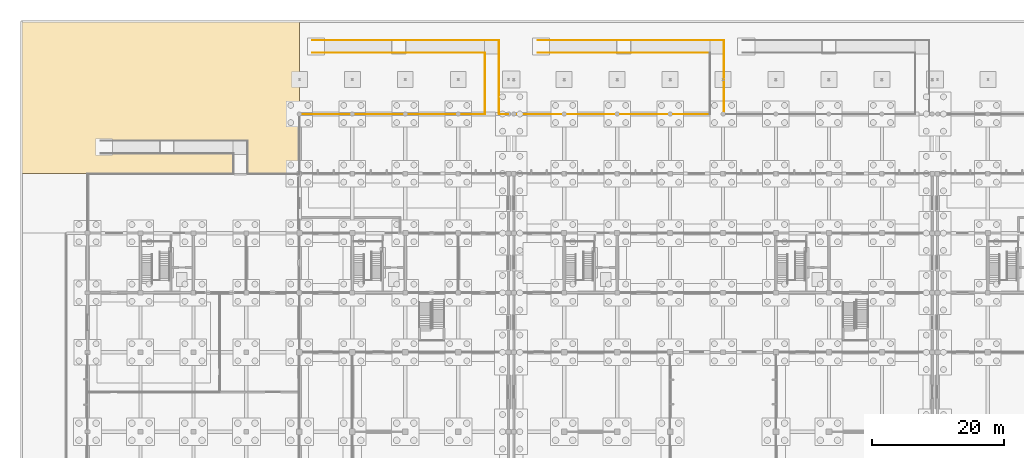
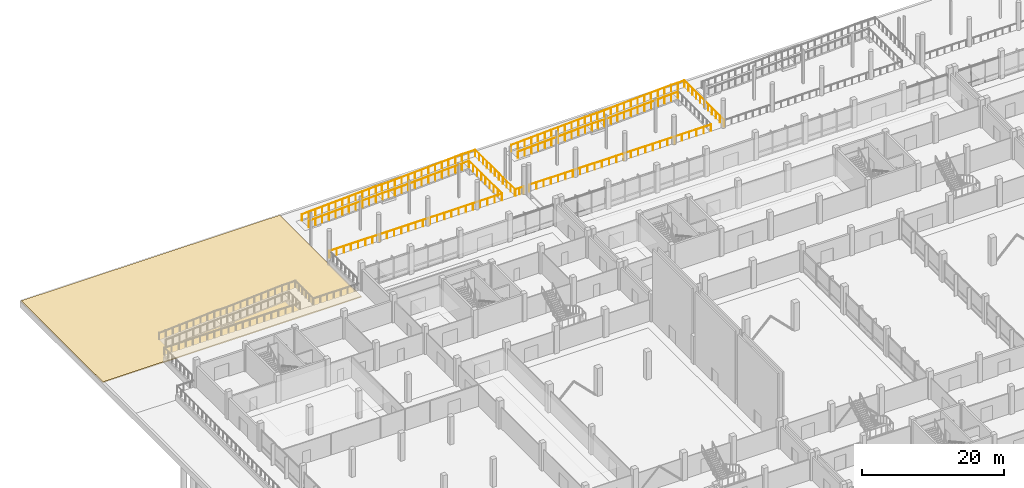
# One storey, part 70 of 72: 8 railings, 1 covering.
"""IFC4 building model written with IfcOpenShell, lengths in metres."""

from ifc_helpers import new_model, si_unit, direction, frame, origin, origin_2d, place, context, subcontext, project, spatial, polyline, circle, outline, extrude, material, layer, layer_set, type_object, element, save


model = new_model("IFC4")

# Units and contexts
model_context = context("Model", 3, precision=1e-05, world=origin(), true_north=direction((0.0, 1.0)))
body_context = subcontext(model_context, "Body", "Model", "MODEL_VIEW")
ifc_project = project(units=[si_unit("LENGTHUNIT", "METRE"), si_unit("AREAUNIT", "SQUARE_METRE"), si_unit("VOLUMEUNIT", "CUBIC_METRE"), si_unit("PLANEANGLEUNIT", "RADIAN"), si_unit("MASSUNIT", "GRAM", prefix="KILO"), si_unit("THERMODYNAMICTEMPERATUREUNIT", "KELVIN"), si_unit("POWERUNIT", "WATT")], contexts=[model_context])

# Site, building, storey
site_placement = place(None, origin())
site = spatial("IfcSite", under=ifc_project, at=site_placement, CompositionType="ELEMENT")
building_placement = place(site_placement, origin())
building = spatial("IfcBuilding", under=site, at=building_placement, Name="Kronsvod Quay Wholesale Market", CompositionType="ELEMENT")
storey_placement = place(building_placement, origin())
storey = spatial("IfcBuildingStorey", under=building, at=storey_placement, Name="L00", CompositionType="ELEMENT", Elevation=0.0)

# Covering
ifc_material_1 = material(Name="Natural granite harbour quay paving", Category="masonry")
ifc_layer = layer(ifc_material_1, 0.179931640625)
ifc_layer_set = layer_set([ifc_layer], Name="Natural granite harbour quay paving")
covering_type = type_object("IfcCoveringType", Name="Cov_SitePaving160", PredefinedType="USERDEFINED", material=ifc_layer_set)
covering_placement = place(storey_placement, frame((0.0, 0.0, -1.3798828125)))
element("IfcCovering", 1, at=covering_placement, inside=storey, type_object=covering_type, Name="PAV-APR-N1", ObjectType="PAVING", PredefinedType="USERDEFINED", context=body_context, shape_type="SweptSolid", body=[
    extrude(outline(polyline([(-10.0, 117.0), (32.0, 117.0), (32.0, 140.0), (-10.0, 140.0), (-10.0, 117.0)])), origin(), (0.0, 0.0, 1.0), 0.179931640625),
])

# Railings
ifc_material_2 = material(Name="Stainless steel", Category="steel")
railing_type = type_object("IfcRailingType", Name="Railing_Guard1200", PredefinedType="GUARDRAIL", material=ifc_material_2)
railing_1_placement = place(storey_placement, frame((34.0, 137.14990234375, -1.199951171875)))
element("IfcRailing", 2, at=railing_1_placement, inside=storey, type_object=railing_type, Name="RMP-N01-GRD1", PredefinedType="GUARDRAIL", context=body_context, shape_type="SweptSolid", body=[
    extrude(circle(Radius=0.02392578125, at=origin_2d()), frame((0.0, 0.0, 1.17578125), z_axis=(0.998752946874, 0.0, 0.049925455535), x_axis=(0.0, 1.0, 0.0)), (0.0, 0.0, 1.0), 12.014892578125),
    extrude(circle(Radius=0.02392578125, at=origin_2d()), frame((12.0, 0.0, 1.77587890625), z_axis=(1.0, 0.0, 0.0), x_axis=(0.0, 1.0, 0.0)), (0.0, 0.0, 1.0), 2.0),
    extrude(circle(Radius=0.02392578125, at=origin_2d()), frame((14.0, 0.0, 1.77587890625), z_axis=(0.998751933465, 0.0, 0.049945724537), x_axis=(0.0, 1.0, 0.0)), (0.0, 0.0, 1.0), 12.014892578125),
    extrude(circle(Radius=0.02392578125, at=origin_2d()), frame((26.0, 0.0, 2.3759765625), z_axis=(1.0, 0.0, 0.0), x_axis=(0.0, 1.0, 0.0)), (0.0, 0.0, 1.0), 2.14990234375),
    extrude(circle(Radius=0.02392578125, at=origin_2d()), frame((28.14990234375, 0.0, 2.3759765625), z_axis=(0.0, -1.0, 0.0), x_axis=(1.0, 0.0, 0.0)), (0.0, 0.0, 1.0), 11.099853515625),
    extrude(circle(Radius=0.02099609375, at=origin_2d()), origin(), (0.0, 0.0, 1.0), 1.15185546875),
    extrude(circle(Radius=0.02099609375, at=origin_2d()), frame((1.0908203125, 0.0, 0.054443359375)), (0.0, 0.0, 1.0), 1.15185546875),
    extrude(circle(Radius=0.02099609375, at=origin_2d()), frame((2.181884765625, 0.0, 0.109130859375)), (0.0, 0.0, 1.0), 1.15185546875),
    extrude(circle(Radius=0.02099609375, at=origin_2d()), frame((3.272705078125, 0.0, 0.16357421875)), (0.0, 0.0, 1.0), 1.15185546875),
    extrude(circle(Radius=0.02099609375, at=origin_2d()), frame((4.363525390625, 0.0, 0.218017578125)), (0.0, 0.0, 1.0), 1.15185546875),
    extrude(circle(Radius=0.02099609375, at=origin_2d()), frame((5.45458984375, 0.0, 0.272705078125)), (0.0, 0.0, 1.0), 1.15185546875),
    extrude(circle(Radius=0.02099609375, at=origin_2d()), frame((6.54541015625, 0.0, 0.3271484375)), (0.0, 0.0, 1.0), 1.15185546875),
    extrude(circle(Radius=0.02099609375, at=origin_2d()), frame((7.636474609375, 0.0, 0.3818359375)), (0.0, 0.0, 1.0), 1.15185546875),
    extrude(circle(Radius=0.02099609375, at=origin_2d()), frame((8.727294921875, 0.0, 0.436279296875)), (0.0, 0.0, 1.0), 1.15185546875),
    extrude(circle(Radius=0.02099609375, at=origin_2d()), frame((9.818115234375, 0.0, 0.49072265625)), (0.0, 0.0, 1.0), 1.15185546875),
    extrude(circle(Radius=0.02099609375, at=origin_2d()), frame((10.9091796875, 0.0, 0.54541015625)), (0.0, 0.0, 1.0), 1.15185546875),
    extrude(circle(Radius=0.02099609375, at=origin_2d()), frame((12.0, 0.0, 0.599853515625)), (0.0, 0.0, 1.0), 1.15185546875),
    extrude(circle(Radius=0.02099609375, at=origin_2d()), frame((13.0, 0.0, 0.599853515625)), (0.0, 0.0, 1.0), 1.15185546875),
    extrude(circle(Radius=0.02099609375, at=origin_2d()), frame((14.0, 0.0, 0.599853515625)), (0.0, 0.0, 1.0), 1.15185546875),
    extrude(circle(Radius=0.02099609375, at=origin_2d()), frame((15.0908203125, 0.0, 0.654296875)), (0.0, 0.0, 1.0), 1.15185546875),
    extrude(circle(Radius=0.02099609375, at=origin_2d()), frame((16.181884765625, 0.0, 0.708984375)), (0.0, 0.0, 1.0), 1.15185546875),
    extrude(circle(Radius=0.02099609375, at=origin_2d()), frame((17.272705078125, 0.0, 0.763427734375)), (0.0, 0.0, 1.0), 1.15185546875),
    extrude(circle(Radius=0.02099609375, at=origin_2d()), frame((18.363525390625, 0.0, 0.818115234375)), (0.0, 0.0, 1.0), 1.15185546875),
    extrude(circle(Radius=0.02099609375, at=origin_2d()), frame((19.45458984375, 0.0, 0.87255859375)), (0.0, 0.0, 1.0), 1.15185546875),
    extrude(circle(Radius=0.02099609375, at=origin_2d()), frame((20.54541015625, 0.0, 0.92724609375)), (0.0, 0.0, 1.0), 1.15185546875),
    extrude(circle(Radius=0.02099609375, at=origin_2d()), frame((21.636474609375, 0.0, 0.981689453125)), (0.0, 0.0, 1.0), 1.15185546875),
    extrude(circle(Radius=0.02099609375, at=origin_2d()), frame((22.727294921875, 0.0, 1.036376953125)), (0.0, 0.0, 1.0), 1.15185546875),
    extrude(circle(Radius=0.02099609375, at=origin_2d()), frame((23.818115234375, 0.0, 1.0908203125)), (0.0, 0.0, 1.0), 1.15185546875),
    extrude(circle(Radius=0.02099609375, at=origin_2d()), frame((24.9091796875, 0.0, 1.1455078125)), (0.0, 0.0, 1.0), 1.15185546875),
    extrude(circle(Radius=0.02099609375, at=origin_2d()), frame((26.0, 0.0, 1.199951171875)), (0.0, 0.0, 1.0), 1.15185546875),
    extrude(circle(Radius=0.02099609375, at=origin_2d()), frame((27.074951171875, 0.0, 1.199951171875)), (0.0, 0.0, 1.0), 1.15185546875),
    extrude(circle(Radius=0.02099609375, at=origin_2d()), frame((28.14990234375, 0.0, 1.199951171875)), (0.0, 0.0, 1.0), 1.15185546875),
    extrude(circle(Radius=0.02099609375, at=origin_2d()), frame((28.14990234375, -1.10986328125, 1.199951171875)), (0.0, 0.0, 1.0), 1.15185546875),
    extrude(circle(Radius=0.02099609375, at=origin_2d()), frame((28.14990234375, -2.219970703125, 1.199951171875)), (0.0, 0.0, 1.0), 1.15185546875),
    extrude(circle(Radius=0.02099609375, at=origin_2d()), frame((28.14990234375, -3.330078125, 1.199951171875)), (0.0, 0.0, 1.0), 1.15185546875),
    extrude(circle(Radius=0.02099609375, at=origin_2d()), frame((28.14990234375, -4.43994140625, 1.199951171875)), (0.0, 0.0, 1.0), 1.15185546875),
    extrude(circle(Radius=0.02099609375, at=origin_2d()), frame((28.14990234375, -5.5498046875, 1.199951171875)), (0.0, 0.0, 1.0), 1.15185546875),
    extrude(circle(Radius=0.02099609375, at=origin_2d()), frame((28.14990234375, -6.659912109375, 1.199951171875)), (0.0, 0.0, 1.0), 1.15185546875),
    extrude(circle(Radius=0.02099609375, at=origin_2d()), frame((28.14990234375, -7.769775390625, 1.199951171875)), (0.0, 0.0, 1.0), 1.15185546875),
    extrude(circle(Radius=0.02099609375, at=origin_2d()), frame((28.14990234375, -8.8798828125, 1.199951171875)), (0.0, 0.0, 1.0), 1.15185546875),
    extrude(circle(Radius=0.02099609375, at=origin_2d()), frame((28.14990234375, -9.98974609375, 1.199951171875)), (0.0, 0.0, 1.0), 1.15185546875),
    extrude(circle(Radius=0.02099609375, at=origin_2d()), frame((28.14990234375, -11.099853515625, 1.199951171875)), (0.0, 0.0, 1.0), 1.15185546875),
])
railing_2_placement = place(storey_placement, frame((34.0, 135.25, -1.199951171875)))
element("IfcRailing", 3, at=railing_2_placement, inside=storey, type_object=railing_type, Name="RMP-N01-GRD2", PredefinedType="GUARDRAIL", context=body_context, shape_type="SweptSolid", body=[
    extrude(circle(Radius=0.02392578125, at=origin_2d()), frame((0.0, 0.0, 1.17578125), z_axis=(0.998752946874, 0.0, 0.049925455535), x_axis=(0.0, 1.0, 0.0)), (0.0, 0.0, 1.0), 12.014892578125),
    extrude(circle(Radius=0.02392578125, at=origin_2d()), frame((12.0, 0.0, 1.77587890625), z_axis=(1.0, 0.0, 0.0), x_axis=(0.0, 1.0, 0.0)), (0.0, 0.0, 1.0), 2.0),
    extrude(circle(Radius=0.02392578125, at=origin_2d()), frame((14.0, 0.0, 1.77587890625), z_axis=(0.998751933465, 0.0, 0.049945724537), x_axis=(0.0, 1.0, 0.0)), (0.0, 0.0, 1.0), 12.014892578125),
    extrude(circle(Radius=0.02099609375, at=origin_2d()), origin(), (0.0, 0.0, 1.0), 1.15185546875),
    extrude(circle(Radius=0.02099609375, at=origin_2d()), frame((1.0908203125, 0.0, 0.054443359375)), (0.0, 0.0, 1.0), 1.15185546875),
    extrude(circle(Radius=0.02099609375, at=origin_2d()), frame((2.181884765625, 0.0, 0.109130859375)), (0.0, 0.0, 1.0), 1.15185546875),
    extrude(circle(Radius=0.02099609375, at=origin_2d()), frame((3.272705078125, 0.0, 0.16357421875)), (0.0, 0.0, 1.0), 1.15185546875),
    extrude(circle(Radius=0.02099609375, at=origin_2d()), frame((4.363525390625, 0.0, 0.218017578125)), (0.0, 0.0, 1.0), 1.15185546875),
    extrude(circle(Radius=0.02099609375, at=origin_2d()), frame((5.45458984375, 0.0, 0.272705078125)), (0.0, 0.0, 1.0), 1.15185546875),
    extrude(circle(Radius=0.02099609375, at=origin_2d()), frame((6.54541015625, 0.0, 0.3271484375)), (0.0, 0.0, 1.0), 1.15185546875),
    extrude(circle(Radius=0.02099609375, at=origin_2d()), frame((7.636474609375, 0.0, 0.3818359375)), (0.0, 0.0, 1.0), 1.15185546875),
    extrude(circle(Radius=0.02099609375, at=origin_2d()), frame((8.727294921875, 0.0, 0.436279296875)), (0.0, 0.0, 1.0), 1.15185546875),
    extrude(circle(Radius=0.02099609375, at=origin_2d()), frame((9.818115234375, 0.0, 0.49072265625)), (0.0, 0.0, 1.0), 1.15185546875),
    extrude(circle(Radius=0.02099609375, at=origin_2d()), frame((10.9091796875, 0.0, 0.54541015625)), (0.0, 0.0, 1.0), 1.15185546875),
    extrude(circle(Radius=0.02099609375, at=origin_2d()), frame((12.0, 0.0, 0.599853515625)), (0.0, 0.0, 1.0), 1.15185546875),
    extrude(circle(Radius=0.02099609375, at=origin_2d()), frame((13.0, 0.0, 0.599853515625)), (0.0, 0.0, 1.0), 1.15185546875),
    extrude(circle(Radius=0.02099609375, at=origin_2d()), frame((14.0, 0.0, 0.599853515625)), (0.0, 0.0, 1.0), 1.15185546875),
    extrude(circle(Radius=0.02099609375, at=origin_2d()), frame((15.0908203125, 0.0, 0.654296875)), (0.0, 0.0, 1.0), 1.15185546875),
    extrude(circle(Radius=0.02099609375, at=origin_2d()), frame((16.181884765625, 0.0, 0.708984375)), (0.0, 0.0, 1.0), 1.15185546875),
    extrude(circle(Radius=0.02099609375, at=origin_2d()), frame((17.272705078125, 0.0, 0.763427734375)), (0.0, 0.0, 1.0), 1.15185546875),
    extrude(circle(Radius=0.02099609375, at=origin_2d()), frame((18.363525390625, 0.0, 0.818115234375)), (0.0, 0.0, 1.0), 1.15185546875),
    extrude(circle(Radius=0.02099609375, at=origin_2d()), frame((19.45458984375, 0.0, 0.87255859375)), (0.0, 0.0, 1.0), 1.15185546875),
    extrude(circle(Radius=0.02099609375, at=origin_2d()), frame((20.54541015625, 0.0, 0.92724609375)), (0.0, 0.0, 1.0), 1.15185546875),
    extrude(circle(Radius=0.02099609375, at=origin_2d()), frame((21.636474609375, 0.0, 0.981689453125)), (0.0, 0.0, 1.0), 1.15185546875),
    extrude(circle(Radius=0.02099609375, at=origin_2d()), frame((22.727294921875, 0.0, 1.036376953125)), (0.0, 0.0, 1.0), 1.15185546875),
    extrude(circle(Radius=0.02099609375, at=origin_2d()), frame((23.818115234375, 0.0, 1.0908203125)), (0.0, 0.0, 1.0), 1.15185546875),
    extrude(circle(Radius=0.02099609375, at=origin_2d()), frame((24.9091796875, 0.0, 1.1455078125)), (0.0, 0.0, 1.0), 1.15185546875),
    extrude(circle(Radius=0.02099609375, at=origin_2d()), frame((26.0, 0.0, 1.199951171875)), (0.0, 0.0, 1.0), 1.15185546875),
])
railing_3_placement = place(storey_placement, frame((68.0, 137.14990234375, -1.199951171875)))
element("IfcRailing", 4, at=railing_3_placement, inside=storey, type_object=railing_type, Name="RMP-N02-GRD1", PredefinedType="GUARDRAIL", context=body_context, shape_type="SweptSolid", body=[
    extrude(circle(Radius=0.02392578125, at=origin_2d()), frame((0.0, 0.0, 1.17578125), z_axis=(0.998752946874, 0.0, 0.049925455535), x_axis=(0.0, 1.0, 0.0)), (0.0, 0.0, 1.0), 12.014892578125),
    extrude(circle(Radius=0.02392578125, at=origin_2d()), frame((12.0, 0.0, 1.77587890625), z_axis=(1.0, 0.0, 0.0), x_axis=(0.0, 1.0, 0.0)), (0.0, 0.0, 1.0), 2.0),
    extrude(circle(Radius=0.02392578125, at=origin_2d()), frame((14.0, 0.0, 1.77587890625), z_axis=(0.998751933465, 0.0, 0.049945724537), x_axis=(0.0, 1.0, 0.0)), (0.0, 0.0, 1.0), 12.014892578125),
    extrude(circle(Radius=0.02392578125, at=origin_2d()), frame((26.0, 0.0, 2.3759765625), z_axis=(1.0, 0.0, 0.0), x_axis=(0.0, 1.0, 0.0)), (0.0, 0.0, 1.0), 2.14990234375),
    extrude(circle(Radius=0.02392578125, at=origin_2d()), frame((28.14990234375, 0.0, 2.3759765625), z_axis=(0.0, -1.0, 0.0), x_axis=(1.0, 0.0, 0.0)), (0.0, 0.0, 1.0), 11.099853515625),
    extrude(circle(Radius=0.02099609375, at=origin_2d()), origin(), (0.0, 0.0, 1.0), 1.15185546875),
    extrude(circle(Radius=0.02099609375, at=origin_2d()), frame((1.0908203125, 0.0, 0.054443359375)), (0.0, 0.0, 1.0), 1.15185546875),
    extrude(circle(Radius=0.02099609375, at=origin_2d()), frame((2.181884765625, 0.0, 0.109130859375)), (0.0, 0.0, 1.0), 1.15185546875),
    extrude(circle(Radius=0.02099609375, at=origin_2d()), frame((3.272705078125, 0.0, 0.16357421875)), (0.0, 0.0, 1.0), 1.15185546875),
    extrude(circle(Radius=0.02099609375, at=origin_2d()), frame((4.363525390625, 0.0, 0.218017578125)), (0.0, 0.0, 1.0), 1.15185546875),
    extrude(circle(Radius=0.02099609375, at=origin_2d()), frame((5.45458984375, 0.0, 0.272705078125)), (0.0, 0.0, 1.0), 1.15185546875),
    extrude(circle(Radius=0.02099609375, at=origin_2d()), frame((6.54541015625, 0.0, 0.3271484375)), (0.0, 0.0, 1.0), 1.15185546875),
    extrude(circle(Radius=0.02099609375, at=origin_2d()), frame((7.636474609375, 0.0, 0.3818359375)), (0.0, 0.0, 1.0), 1.15185546875),
    extrude(circle(Radius=0.02099609375, at=origin_2d()), frame((8.727294921875, 0.0, 0.436279296875)), (0.0, 0.0, 1.0), 1.15185546875),
    extrude(circle(Radius=0.02099609375, at=origin_2d()), frame((9.818115234375, 0.0, 0.49072265625)), (0.0, 0.0, 1.0), 1.15185546875),
    extrude(circle(Radius=0.02099609375, at=origin_2d()), frame((10.9091796875, 0.0, 0.54541015625)), (0.0, 0.0, 1.0), 1.15185546875),
    extrude(circle(Radius=0.02099609375, at=origin_2d()), frame((12.0, 0.0, 0.599853515625)), (0.0, 0.0, 1.0), 1.15185546875),
    extrude(circle(Radius=0.02099609375, at=origin_2d()), frame((13.0, 0.0, 0.599853515625)), (0.0, 0.0, 1.0), 1.15185546875),
    extrude(circle(Radius=0.02099609375, at=origin_2d()), frame((14.0, 0.0, 0.599853515625)), (0.0, 0.0, 1.0), 1.15185546875),
    extrude(circle(Radius=0.02099609375, at=origin_2d()), frame((15.0908203125, 0.0, 0.654296875)), (0.0, 0.0, 1.0), 1.15185546875),
    extrude(circle(Radius=0.02099609375, at=origin_2d()), frame((16.181884765625, 0.0, 0.708984375)), (0.0, 0.0, 1.0), 1.15185546875),
    extrude(circle(Radius=0.02099609375, at=origin_2d()), frame((17.272705078125, 0.0, 0.763427734375)), (0.0, 0.0, 1.0), 1.15185546875),
    extrude(circle(Radius=0.02099609375, at=origin_2d()), frame((18.363525390625, 0.0, 0.818115234375)), (0.0, 0.0, 1.0), 1.15185546875),
    extrude(circle(Radius=0.02099609375, at=origin_2d()), frame((19.45458984375, 0.0, 0.87255859375)), (0.0, 0.0, 1.0), 1.15185546875),
    extrude(circle(Radius=0.02099609375, at=origin_2d()), frame((20.54541015625, 0.0, 0.92724609375)), (0.0, 0.0, 1.0), 1.15185546875),
    extrude(circle(Radius=0.02099609375, at=origin_2d()), frame((21.636474609375, 0.0, 0.981689453125)), (0.0, 0.0, 1.0), 1.15185546875),
    extrude(circle(Radius=0.02099609375, at=origin_2d()), frame((22.727294921875, 0.0, 1.036376953125)), (0.0, 0.0, 1.0), 1.15185546875),
    extrude(circle(Radius=0.02099609375, at=origin_2d()), frame((23.818115234375, 0.0, 1.0908203125)), (0.0, 0.0, 1.0), 1.15185546875),
    extrude(circle(Radius=0.02099609375, at=origin_2d()), frame((24.9091796875, 0.0, 1.1455078125)), (0.0, 0.0, 1.0), 1.15185546875),
    extrude(circle(Radius=0.02099609375, at=origin_2d()), frame((26.0, 0.0, 1.199951171875)), (0.0, 0.0, 1.0), 1.15185546875),
    extrude(circle(Radius=0.02099609375, at=origin_2d()), frame((27.074951171875, 0.0, 1.199951171875)), (0.0, 0.0, 1.0), 1.15185546875),
    extrude(circle(Radius=0.02099609375, at=origin_2d()), frame((28.14990234375, 0.0, 1.199951171875)), (0.0, 0.0, 1.0), 1.15185546875),
    extrude(circle(Radius=0.02099609375, at=origin_2d()), frame((28.14990234375, -1.10986328125, 1.199951171875)), (0.0, 0.0, 1.0), 1.15185546875),
    extrude(circle(Radius=0.02099609375, at=origin_2d()), frame((28.14990234375, -2.219970703125, 1.199951171875)), (0.0, 0.0, 1.0), 1.15185546875),
    extrude(circle(Radius=0.02099609375, at=origin_2d()), frame((28.14990234375, -3.330078125, 1.199951171875)), (0.0, 0.0, 1.0), 1.15185546875),
    extrude(circle(Radius=0.02099609375, at=origin_2d()), frame((28.14990234375, -4.43994140625, 1.199951171875)), (0.0, 0.0, 1.0), 1.15185546875),
    extrude(circle(Radius=0.02099609375, at=origin_2d()), frame((28.14990234375, -5.5498046875, 1.199951171875)), (0.0, 0.0, 1.0), 1.15185546875),
    extrude(circle(Radius=0.02099609375, at=origin_2d()), frame((28.14990234375, -6.659912109375, 1.199951171875)), (0.0, 0.0, 1.0), 1.15185546875),
    extrude(circle(Radius=0.02099609375, at=origin_2d()), frame((28.14990234375, -7.769775390625, 1.199951171875)), (0.0, 0.0, 1.0), 1.15185546875),
    extrude(circle(Radius=0.02099609375, at=origin_2d()), frame((28.14990234375, -8.8798828125, 1.199951171875)), (0.0, 0.0, 1.0), 1.15185546875),
    extrude(circle(Radius=0.02099609375, at=origin_2d()), frame((28.14990234375, -9.98974609375, 1.199951171875)), (0.0, 0.0, 1.0), 1.15185546875),
    extrude(circle(Radius=0.02099609375, at=origin_2d()), frame((28.14990234375, -11.099853515625, 1.199951171875)), (0.0, 0.0, 1.0), 1.15185546875),
])
railing_4_placement = place(storey_placement, frame((68.0, 135.25, -1.199951171875)))
element("IfcRailing", 5, at=railing_4_placement, inside=storey, type_object=railing_type, Name="RMP-N02-GRD2", PredefinedType="GUARDRAIL", context=body_context, shape_type="SweptSolid", body=[
    extrude(circle(Radius=0.02392578125, at=origin_2d()), frame((0.0, 0.0, 1.17578125), z_axis=(0.998752946874, 0.0, 0.049925455535), x_axis=(0.0, 1.0, 0.0)), (0.0, 0.0, 1.0), 12.014892578125),
    extrude(circle(Radius=0.02392578125, at=origin_2d()), frame((12.0, 0.0, 1.77587890625), z_axis=(1.0, 0.0, 0.0), x_axis=(0.0, 1.0, 0.0)), (0.0, 0.0, 1.0), 2.0),
    extrude(circle(Radius=0.02392578125, at=origin_2d()), frame((14.0, 0.0, 1.77587890625), z_axis=(0.998751933465, 0.0, 0.049945724537), x_axis=(0.0, 1.0, 0.0)), (0.0, 0.0, 1.0), 12.014892578125),
    extrude(circle(Radius=0.02099609375, at=origin_2d()), origin(), (0.0, 0.0, 1.0), 1.15185546875),
    extrude(circle(Radius=0.02099609375, at=origin_2d()), frame((1.0908203125, 0.0, 0.054443359375)), (0.0, 0.0, 1.0), 1.15185546875),
    extrude(circle(Radius=0.02099609375, at=origin_2d()), frame((2.181884765625, 0.0, 0.109130859375)), (0.0, 0.0, 1.0), 1.15185546875),
    extrude(circle(Radius=0.02099609375, at=origin_2d()), frame((3.272705078125, 0.0, 0.16357421875)), (0.0, 0.0, 1.0), 1.15185546875),
    extrude(circle(Radius=0.02099609375, at=origin_2d()), frame((4.363525390625, 0.0, 0.218017578125)), (0.0, 0.0, 1.0), 1.15185546875),
    extrude(circle(Radius=0.02099609375, at=origin_2d()), frame((5.45458984375, 0.0, 0.272705078125)), (0.0, 0.0, 1.0), 1.15185546875),
    extrude(circle(Radius=0.02099609375, at=origin_2d()), frame((6.54541015625, 0.0, 0.3271484375)), (0.0, 0.0, 1.0), 1.15185546875),
    extrude(circle(Radius=0.02099609375, at=origin_2d()), frame((7.636474609375, 0.0, 0.3818359375)), (0.0, 0.0, 1.0), 1.15185546875),
    extrude(circle(Radius=0.02099609375, at=origin_2d()), frame((8.727294921875, 0.0, 0.436279296875)), (0.0, 0.0, 1.0), 1.15185546875),
    extrude(circle(Radius=0.02099609375, at=origin_2d()), frame((9.818115234375, 0.0, 0.49072265625)), (0.0, 0.0, 1.0), 1.15185546875),
    extrude(circle(Radius=0.02099609375, at=origin_2d()), frame((10.9091796875, 0.0, 0.54541015625)), (0.0, 0.0, 1.0), 1.15185546875),
    extrude(circle(Radius=0.02099609375, at=origin_2d()), frame((12.0, 0.0, 0.599853515625)), (0.0, 0.0, 1.0), 1.15185546875),
    extrude(circle(Radius=0.02099609375, at=origin_2d()), frame((13.0, 0.0, 0.599853515625)), (0.0, 0.0, 1.0), 1.15185546875),
    extrude(circle(Radius=0.02099609375, at=origin_2d()), frame((14.0, 0.0, 0.599853515625)), (0.0, 0.0, 1.0), 1.15185546875),
    extrude(circle(Radius=0.02099609375, at=origin_2d()), frame((15.0908203125, 0.0, 0.654296875)), (0.0, 0.0, 1.0), 1.15185546875),
    extrude(circle(Radius=0.02099609375, at=origin_2d()), frame((16.181884765625, 0.0, 0.708984375)), (0.0, 0.0, 1.0), 1.15185546875),
    extrude(circle(Radius=0.02099609375, at=origin_2d()), frame((17.272705078125, 0.0, 0.763427734375)), (0.0, 0.0, 1.0), 1.15185546875),
    extrude(circle(Radius=0.02099609375, at=origin_2d()), frame((18.363525390625, 0.0, 0.818115234375)), (0.0, 0.0, 1.0), 1.15185546875),
    extrude(circle(Radius=0.02099609375, at=origin_2d()), frame((19.45458984375, 0.0, 0.87255859375)), (0.0, 0.0, 1.0), 1.15185546875),
    extrude(circle(Radius=0.02099609375, at=origin_2d()), frame((20.54541015625, 0.0, 0.92724609375)), (0.0, 0.0, 1.0), 1.15185546875),
    extrude(circle(Radius=0.02099609375, at=origin_2d()), frame((21.636474609375, 0.0, 0.981689453125)), (0.0, 0.0, 1.0), 1.15185546875),
    extrude(circle(Radius=0.02099609375, at=origin_2d()), frame((22.727294921875, 0.0, 1.036376953125)), (0.0, 0.0, 1.0), 1.15185546875),
    extrude(circle(Radius=0.02099609375, at=origin_2d()), frame((23.818115234375, 0.0, 1.0908203125)), (0.0, 0.0, 1.0), 1.15185546875),
    extrude(circle(Radius=0.02099609375, at=origin_2d()), frame((24.9091796875, 0.0, 1.1455078125)), (0.0, 0.0, 1.0), 1.15185546875),
    extrude(circle(Radius=0.02099609375, at=origin_2d()), frame((26.0, 0.0, 1.199951171875)), (0.0, 0.0, 1.0), 1.15185546875),
])
railing_5_placement = place(storey_placement, frame((32.0, 125.949951171875, 0.0)))
element("IfcRailing", 6, at=railing_5_placement, inside=storey, type_object=railing_type, Name="GRD-L00-N1", PredefinedType="GUARDRAIL", context=body_context, shape_type="SweptSolid", body=[
    extrude(circle(Radius=0.02392578125, at=origin_2d()), frame((0.0, 0.0, 1.17578125), z_axis=(1.0, 0.0, 0.0), x_axis=(0.0, 1.0, 0.0)), (0.0, 0.0, 1.0), 28.0),
    extrude(circle(Radius=0.02099609375, at=origin_2d()), origin(), (0.0, 0.0, 1.0), 1.15185546875),
    extrude(circle(Radius=0.02099609375, at=origin_2d()), frame((1.166748046875, 0.0, 0.0)), (0.0, 0.0, 1.0), 1.15185546875),
    extrude(circle(Radius=0.02099609375, at=origin_2d()), frame((2.333251953125, 0.0, 0.0)), (0.0, 0.0, 1.0), 1.15185546875),
    extrude(circle(Radius=0.02099609375, at=origin_2d()), frame((3.5, 0.0, 0.0)), (0.0, 0.0, 1.0), 1.15185546875),
    extrude(circle(Radius=0.02099609375, at=origin_2d()), frame((4.666748046875, 0.0, 0.0)), (0.0, 0.0, 1.0), 1.15185546875),
    extrude(circle(Radius=0.02099609375, at=origin_2d()), frame((5.833251953125, 0.0, 0.0)), (0.0, 0.0, 1.0), 1.15185546875),
    extrude(circle(Radius=0.02099609375, at=origin_2d()), frame((7.0, 0.0, 0.0)), (0.0, 0.0, 1.0), 1.15185546875),
    extrude(circle(Radius=0.02099609375, at=origin_2d()), frame((8.166748046875, 0.0, 0.0)), (0.0, 0.0, 1.0), 1.15185546875),
    extrude(circle(Radius=0.02099609375, at=origin_2d()), frame((9.333251953125, 0.0, 0.0)), (0.0, 0.0, 1.0), 1.15185546875),
    extrude(circle(Radius=0.02099609375, at=origin_2d()), frame((10.5, 0.0, 0.0)), (0.0, 0.0, 1.0), 1.15185546875),
    extrude(circle(Radius=0.02099609375, at=origin_2d()), frame((11.666748046875, 0.0, 0.0)), (0.0, 0.0, 1.0), 1.15185546875),
    extrude(circle(Radius=0.02099609375, at=origin_2d()), frame((12.833251953125, 0.0, 0.0)), (0.0, 0.0, 1.0), 1.15185546875),
    extrude(circle(Radius=0.02099609375, at=origin_2d()), frame((14.0, 0.0, 0.0)), (0.0, 0.0, 1.0), 1.15185546875),
    extrude(circle(Radius=0.02099609375, at=origin_2d()), frame((15.166748046875, 0.0, 0.0)), (0.0, 0.0, 1.0), 1.15185546875),
    extrude(circle(Radius=0.02099609375, at=origin_2d()), frame((16.333251953125, 0.0, 0.0)), (0.0, 0.0, 1.0), 1.15185546875),
    extrude(circle(Radius=0.02099609375, at=origin_2d()), frame((17.5, 0.0, 0.0)), (0.0, 0.0, 1.0), 1.15185546875),
    extrude(circle(Radius=0.02099609375, at=origin_2d()), frame((18.666748046875, 0.0, 0.0)), (0.0, 0.0, 1.0), 1.15185546875),
    extrude(circle(Radius=0.02099609375, at=origin_2d()), frame((19.833251953125, 0.0, 0.0)), (0.0, 0.0, 1.0), 1.15185546875),
    extrude(circle(Radius=0.02099609375, at=origin_2d()), frame((21.0, 0.0, 0.0)), (0.0, 0.0, 1.0), 1.15185546875),
    extrude(circle(Radius=0.02099609375, at=origin_2d()), frame((22.166748046875, 0.0, 0.0)), (0.0, 0.0, 1.0), 1.15185546875),
    extrude(circle(Radius=0.02099609375, at=origin_2d()), frame((23.333251953125, 0.0, 0.0)), (0.0, 0.0, 1.0), 1.15185546875),
    extrude(circle(Radius=0.02099609375, at=origin_2d()), frame((24.5, 0.0, 0.0)), (0.0, 0.0, 1.0), 1.15185546875),
    extrude(circle(Radius=0.02099609375, at=origin_2d()), frame((25.666748046875, 0.0, 0.0)), (0.0, 0.0, 1.0), 1.15185546875),
    extrude(circle(Radius=0.02099609375, at=origin_2d()), frame((26.833251953125, 0.0, 0.0)), (0.0, 0.0, 1.0), 1.15185546875),
    extrude(circle(Radius=0.02099609375, at=origin_2d()), frame((28.0, 0.0, 0.0)), (0.0, 0.0, 1.0), 1.15185546875),
])
railing_6_placement = place(storey_placement, frame((62.199951171875, 125.949951171875, 0.0)))
element("IfcRailing", 7, at=railing_6_placement, inside=storey, type_object=railing_type, Name="GRD-L00-N1B", PredefinedType="GUARDRAIL", context=body_context, shape_type="SweptSolid", body=[
    extrude(circle(Radius=0.02392578125, at=origin_2d()), frame((0.0, 0.0, 1.17578125), z_axis=(1.0, 0.0, 0.0), x_axis=(0.0, 1.0, 0.0)), (0.0, 0.0, 1.0), 1.35009765625),
    extrude(circle(Radius=0.02099609375, at=origin_2d()), origin(), (0.0, 0.0, 1.0), 1.15185546875),
    extrude(circle(Radius=0.02099609375, at=origin_2d()), frame((0.675048828125, 0.0, 0.0)), (0.0, 0.0, 1.0), 1.15185546875),
    extrude(circle(Radius=0.02099609375, at=origin_2d()), frame((1.35009765625, 0.0, 0.0)), (0.0, 0.0, 1.0), 1.15185546875),
])
railing_7_placement = place(storey_placement, frame((64.449951171875, 125.949951171875, 0.0)))
element("IfcRailing", 8, at=railing_7_placement, inside=storey, type_object=railing_type, Name="GRD-L00-N2B", PredefinedType="GUARDRAIL", context=body_context, shape_type="SweptSolid", body=[
    extrude(circle(Radius=0.02392578125, at=origin_2d()), frame((0.0, 0.0, 1.17578125), z_axis=(1.0, 0.0, 0.0), x_axis=(0.0, 1.0, 0.0)), (0.0, 0.0, 1.0), 29.550048828125),
    extrude(circle(Radius=0.02099609375, at=origin_2d()), origin(), (0.0, 0.0, 1.0), 1.15185546875),
    extrude(circle(Radius=0.02099609375, at=origin_2d()), frame((1.181884765625, 0.0, 0.0)), (0.0, 0.0, 1.0), 1.15185546875),
    extrude(circle(Radius=0.02099609375, at=origin_2d()), frame((2.364013671875, 0.0, 0.0)), (0.0, 0.0, 1.0), 1.15185546875),
    extrude(circle(Radius=0.02099609375, at=origin_2d()), frame((3.5458984375, 0.0, 0.0)), (0.0, 0.0, 1.0), 1.15185546875),
    extrude(circle(Radius=0.02099609375, at=origin_2d()), frame((4.72802734375, 0.0, 0.0)), (0.0, 0.0, 1.0), 1.15185546875),
    extrude(circle(Radius=0.02099609375, at=origin_2d()), frame((5.909912109375, 0.0, 0.0)), (0.0, 0.0, 1.0), 1.15185546875),
    extrude(circle(Radius=0.02099609375, at=origin_2d()), frame((7.092041015625, 0.0, 0.0)), (0.0, 0.0, 1.0), 1.15185546875),
    extrude(circle(Radius=0.02099609375, at=origin_2d()), frame((8.27392578125, 0.0, 0.0)), (0.0, 0.0, 1.0), 1.15185546875),
    extrude(circle(Radius=0.02099609375, at=origin_2d()), frame((9.4560546875, 0.0, 0.0)), (0.0, 0.0, 1.0), 1.15185546875),
    extrude(circle(Radius=0.02099609375, at=origin_2d()), frame((10.637939453125, 0.0, 0.0)), (0.0, 0.0, 1.0), 1.15185546875),
    extrude(circle(Radius=0.02099609375, at=origin_2d()), frame((11.820068359375, 0.0, 0.0)), (0.0, 0.0, 1.0), 1.15185546875),
    extrude(circle(Radius=0.02099609375, at=origin_2d()), frame((13.001953125, 0.0, 0.0)), (0.0, 0.0, 1.0), 1.15185546875),
    extrude(circle(Radius=0.02099609375, at=origin_2d()), frame((14.18408203125, 0.0, 0.0)), (0.0, 0.0, 1.0), 1.15185546875),
    extrude(circle(Radius=0.02099609375, at=origin_2d()), frame((15.365966796875, 0.0, 0.0)), (0.0, 0.0, 1.0), 1.15185546875),
    extrude(circle(Radius=0.02099609375, at=origin_2d()), frame((16.548095703125, 0.0, 0.0)), (0.0, 0.0, 1.0), 1.15185546875),
    extrude(circle(Radius=0.02099609375, at=origin_2d()), frame((17.72998046875, 0.0, 0.0)), (0.0, 0.0, 1.0), 1.15185546875),
    extrude(circle(Radius=0.02099609375, at=origin_2d()), frame((18.912109375, 0.0, 0.0)), (0.0, 0.0, 1.0), 1.15185546875),
    extrude(circle(Radius=0.02099609375, at=origin_2d()), frame((20.093994140625, 0.0, 0.0)), (0.0, 0.0, 1.0), 1.15185546875),
    extrude(circle(Radius=0.02099609375, at=origin_2d()), frame((21.276123046875, 0.0, 0.0)), (0.0, 0.0, 1.0), 1.15185546875),
    extrude(circle(Radius=0.02099609375, at=origin_2d()), frame((22.4580078125, 0.0, 0.0)), (0.0, 0.0, 1.0), 1.15185546875),
    extrude(circle(Radius=0.02099609375, at=origin_2d()), frame((23.64013671875, 0.0, 0.0)), (0.0, 0.0, 1.0), 1.15185546875),
    extrude(circle(Radius=0.02099609375, at=origin_2d()), frame((24.822021484375, 0.0, 0.0)), (0.0, 0.0, 1.0), 1.15185546875),
    extrude(circle(Radius=0.02099609375, at=origin_2d()), frame((26.004150390625, 0.0, 0.0)), (0.0, 0.0, 1.0), 1.15185546875),
    extrude(circle(Radius=0.02099609375, at=origin_2d()), frame((27.18603515625, 0.0, 0.0)), (0.0, 0.0, 1.0), 1.15185546875),
    extrude(circle(Radius=0.02099609375, at=origin_2d()), frame((28.3681640625, 0.0, 0.0)), (0.0, 0.0, 1.0), 1.15185546875),
    extrude(circle(Radius=0.02099609375, at=origin_2d()), frame((29.550048828125, 0.0, 0.0)), (0.0, 0.0, 1.0), 1.15185546875),
])
railing_8_placement = place(storey_placement, frame((60.050048828125, 126.0, 0.0)))
element("IfcRailing", 9, at=railing_8_placement, inside=storey, type_object=railing_type, Name="GRD-RMP-N01W", PredefinedType="GUARDRAIL", context=body_context, shape_type="SweptSolid", body=[
    extrude(circle(Radius=0.02392578125, at=origin_2d()), frame((0.0, 0.0, 1.17578125), z_axis=(0.0, 1.0, 0.0), x_axis=(-1.0, 0.0, 0.0)), (0.0, 0.0, 1.0), 9.25),
    extrude(circle(Radius=0.02099609375, at=origin_2d()), origin(), (0.0, 0.0, 1.0), 1.15185546875),
    extrude(circle(Radius=0.02099609375, at=origin_2d()), frame((0.0, 1.15625, 0.0)), (0.0, 0.0, 1.0), 1.15185546875),
    extrude(circle(Radius=0.02099609375, at=origin_2d()), frame((0.0, 2.3125, 0.0)), (0.0, 0.0, 1.0), 1.15185546875),
    extrude(circle(Radius=0.02099609375, at=origin_2d()), frame((0.0, 3.46875, 0.0)), (0.0, 0.0, 1.0), 1.15185546875),
    extrude(circle(Radius=0.02099609375, at=origin_2d()), frame((0.0, 4.625, 0.0)), (0.0, 0.0, 1.0), 1.15185546875),
    extrude(circle(Radius=0.02099609375, at=origin_2d()), frame((0.0, 5.78125, 0.0)), (0.0, 0.0, 1.0), 1.15185546875),
    extrude(circle(Radius=0.02099609375, at=origin_2d()), frame((0.0, 6.9375, 0.0)), (0.0, 0.0, 1.0), 1.15185546875),
    extrude(circle(Radius=0.02099609375, at=origin_2d()), frame((0.0, 8.09375, 0.0)), (0.0, 0.0, 1.0), 1.15185546875),
    extrude(circle(Radius=0.02099609375, at=origin_2d()), frame((0.0, 9.25, 0.0)), (0.0, 0.0, 1.0), 1.15185546875),
])

save(model, "model.ifc")
